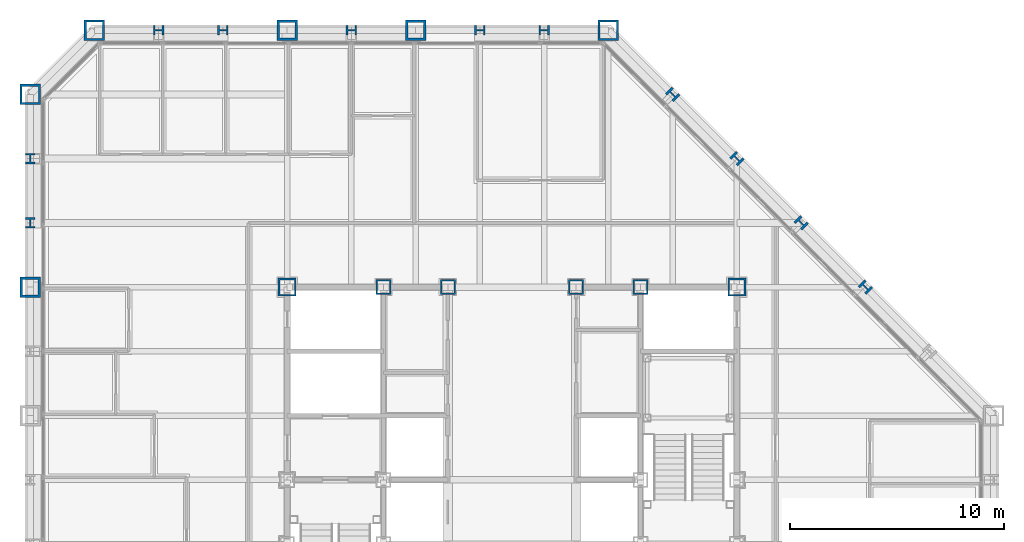
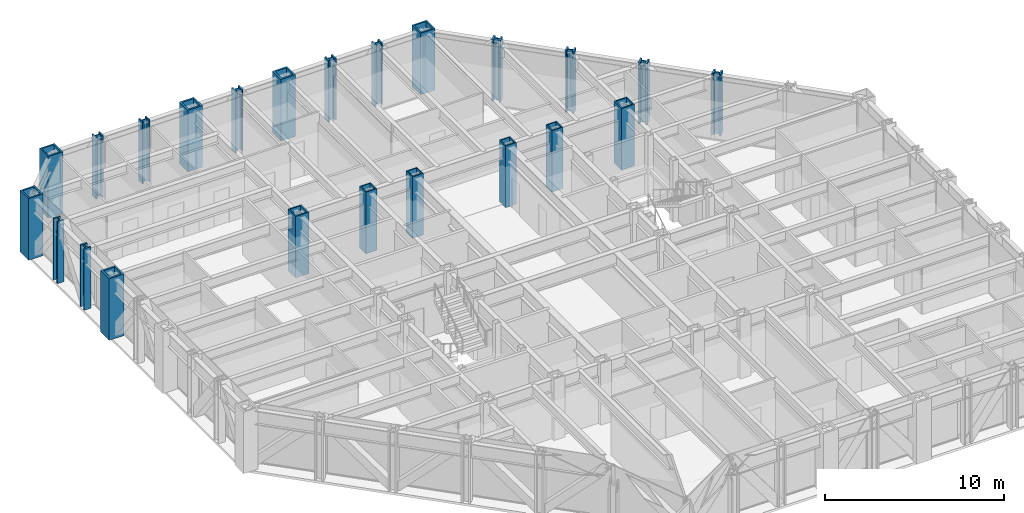
# One storey, part 3 of 16: 23 columns.
"""IFC4 building model written with IfcOpenShell, lengths in metres."""

from ifc_helpers import new_model, si_unit, direction, frame, origin, origin_2d, place, context, subcontext, project, spatial, hollow_rectangle, i_section, extrude, material, material_profile, profile_set, type_object, element, save


model = new_model("IFC4")

# Units and contexts
model_context = context("Model", 3, precision=1e-05, world=origin(), true_north=direction((0.0, 1.0)))
body_context = subcontext(model_context, "Body", "Model", "MODEL_VIEW")
ifc_project = project(units=[si_unit("LENGTHUNIT", "METRE"), si_unit("AREAUNIT", "SQUARE_METRE"), si_unit("VOLUMEUNIT", "CUBIC_METRE"), si_unit("PLANEANGLEUNIT", "RADIAN"), si_unit("MASSUNIT", "GRAM", prefix="KILO")], contexts=[model_context])

# Site, building, storey
site_placement = place(None, origin())
site = spatial("IfcSite", under=ifc_project, at=site_placement, CompositionType="ELEMENT")
building_placement = place(site_placement, origin())
building = spatial("IfcBuilding", under=site, at=building_placement, Name="Chuquiago Exchange Tower", CompositionType="ELEMENT")
storey_placement = place(building_placement, frame((0.0, 0.0, 123.60009765625)))
storey = spatial("IfcBuildingStorey", under=building, at=storey_placement, Name="L26", CompositionType="ELEMENT", Elevation=123.60009765625)

# Columns
ifc_material_1 = material(Name="Steel ASTM A992", Category="steel")
ifc_material_profile_1 = material_profile(ifc_material_1, i_section(OverallWidth=0.431884765625, OverallDepth=0.497802734375, WebThickness=0.0556640625, FlangeThickness=0.0888671875, at=origin_2d()), Name="W14X500")
ifc_profile_set_1 = profile_set([ifc_material_profile_1], Name="Steel ASTM A992")
column_type_1 = type_object("IfcColumnType", Name="C3 W14X500", PredefinedType="COLUMN", material=ifc_profile_set_1)
for number, where, z_axis, x_axis, name in (
    (1, (24.0, 45.0, 0.0), (0.0, 0.0, 1.0), (0.0, 1.0, 0.0), "COL-L26-24_45"),
    (2, (21.0, 45.0, 0.0), (0.0, 0.0, 1.0), (0.0, 1.0, 0.0), "COL-L26-21_45"),
    (3, (15.0, 45.0, 0.0), (0.0, 0.0, 1.0), (0.0, 1.0, 0.0), "COL-L26-15_45"),
    (4, (9.0, 45.0, 0.0), (0.0, 0.0, 1.0), (0.0, 1.0, 0.0), "COL-L26-9_45"),
    (5, (6.0, 45.0, 0.0), (0.0, 0.0, 1.0), (0.0, 1.0, 0.0), "COL-L26-6_45"),
    (6, (0.0, 39.0, 0.0), (0.0, 0.0, 1.0), (-1.0, 0.0, 0.0), "COL-L26-0_39"),
    (7, (0.0, 36.0, 0.0), (0.0, 0.0, 1.0), (-1.0, 0.0, 0.0), "COL-L26-0_36"),
):
    element("IfcColumn", number, at=place(storey_placement, frame(where, z_axis=z_axis, x_axis=x_axis)), inside=storey, type_object=column_type_1, Name=name, PredefinedType="COLUMN", context=body_context, shape_type="SweptSolid", body=[
        extrude(i_section(OverallWidth=0.431884765625, OverallDepth=0.497802734375, WebThickness=0.0556640625, FlangeThickness=0.0888671875, at=origin_2d()), origin(), (0.0, 0.0, 1.0), 4.199951171875),
    ])
ifc_material_2 = material(Name="Steel ASTM A572 Grade 50", Category="steel")
ifc_material_profile_2 = material_profile(ifc_material_2, hollow_rectangle(XDim=0.699951171875, YDim=0.699951171875, WallThickness=0.070068359375, at=origin_2d()), Name="BOX700X700X70")
ifc_profile_set_2 = profile_set([ifc_material_profile_2], Name="Steel ASTM A572 Grade 50")
column_type_2 = type_object("IfcColumnType", Name="CC3 BOX700X700X70", PredefinedType="COLUMN", material=ifc_profile_set_2)
for number, where, z_axis, x_axis, name in (
    (8, (16.5, 33.0, 0.0), (0.0, 0.0, 1.0), (1.0, 0.0, 0.0), "CCOL-L26-16.5_33"),
    (9, (19.5, 33.0, 0.0), (0.0, 0.0, 1.0), (1.0, 0.0, 0.0), "CCOL-L26-19.5_33"),
    (10, (25.5, 33.0, 0.0), (0.0, 0.0, 1.0), (1.0, 0.0, 0.0), "CCOL-L26-25.5_33"),
    (11, (28.5, 33.0, 0.0), (0.0, 0.0, 1.0), (1.0, 0.0, 0.0), "CCOL-L26-28.5_33"),
):
    element("IfcColumn", number, at=place(storey_placement, frame(where, z_axis=z_axis, x_axis=x_axis)), inside=storey, type_object=column_type_2, Name=name, PredefinedType="COLUMN", context=body_context, shape_type="SweptSolid", body=[
        extrude(hollow_rectangle(XDim=0.699951171875, YDim=0.699951171875, WallThickness=0.070068359375, at=origin_2d()), origin(), (0.0, 0.0, 1.0), 4.199951171875),
    ])
ifc_material_3 = material(Name="Steel ASTM A572 Grade 50", Category="steel")
ifc_material_profile_3 = material_profile(ifc_material_3, hollow_rectangle(XDim=0.85009765625, YDim=0.85009765625, WallThickness=0.0849609375, at=origin_2d()), Name="BOX850X850X85")
ifc_profile_set_3 = profile_set([ifc_material_profile_3], Name="Steel ASTM A572 Grade 50")
column_type_3 = type_object("IfcColumnType", Name="CC6 BOX850X850X85", PredefinedType="COLUMN", material=ifc_profile_set_3)
for number, where, z_axis, x_axis, name in (
    (12, (12.0, 33.0, 0.0), (0.0, 0.0, 1.0), (1.0, 0.0, 0.0), "CCOL-L26-12_33"),
    (13, (33.0, 33.0, 0.0), (0.0, 0.0, 1.0), (1.0, 0.0, 0.0), "CCOL-L26-33_33"),
):
    element("IfcColumn", number, at=place(storey_placement, frame(where, z_axis=z_axis, x_axis=x_axis)), inside=storey, type_object=column_type_3, Name=name, PredefinedType="COLUMN", context=body_context, shape_type="SweptSolid", body=[
        extrude(hollow_rectangle(XDim=0.85009765625, YDim=0.85009765625, WallThickness=0.0849609375, at=origin_2d()), origin(), (0.0, 0.0, 1.0), 4.199951171875),
    ])
ifc_material_4 = material(Name="Steel ASTM A992", Category="steel")
ifc_material_profile_4 = material_profile(ifc_material_4, i_section(OverallWidth=0.44189453125, OverallDepth=0.53076171875, WebThickness=0.06591796875, FlangeThickness=0.105712890625, at=origin_2d()), Name="W14X605")
ifc_profile_set_4 = profile_set([ifc_material_profile_4], Name="Steel ASTM A992")
column_type_4 = type_object("IfcColumnType", Name="CK3 W14X605", PredefinedType="COLUMN", material=ifc_profile_set_4)
for number, where, z_axis, x_axis, name in (
    (14, (39.0, 33.0, 0.0), (0.0, 0.0, 1.0), (0.707106781187, 0.707106781187, 0.0), "COL-L26-39_33"),
    (15, (36.0, 36.0, 0.0), (0.0, 0.0, 1.0), (0.707106781187, 0.707106781187, 0.0), "COL-L26-36_36"),
    (16, (33.0, 39.0, 0.0), (0.0, 0.0, 1.0), (0.707106781187, 0.707106781187, 0.0), "COL-L26-33_39"),
    (17, (30.0, 42.0, 0.0), (0.0, 0.0, 1.0), (0.707106781187, 0.707106781187, 0.0), "COL-L26-30_42"),
):
    element("IfcColumn", number, at=place(storey_placement, frame(where, z_axis=z_axis, x_axis=x_axis)), inside=storey, type_object=column_type_4, Name=name, PredefinedType="COLUMN", context=body_context, shape_type="SweptSolid", body=[
        extrude(i_section(OverallWidth=0.44189453125, OverallDepth=0.53076171875, WebThickness=0.06591796875, FlangeThickness=0.105712890625, at=origin_2d()), origin(), (0.0, 0.0, 1.0), 4.199951171875),
    ])
ifc_material_5 = material(Name="Steel ASTM A572 Grade 50", Category="steel")
ifc_material_profile_5 = material_profile(ifc_material_5, hollow_rectangle(XDim=0.949951171875, YDim=0.949951171875, WallThickness=0.094970703125, at=origin_2d()), Name="BOX950X950X95")
ifc_profile_set_5 = profile_set([ifc_material_profile_5], Name="Steel ASTM A572 Grade 50")
column_type_5 = type_object("IfcColumnType", Name="CN1 BOX950X950X95", PredefinedType="COLUMN", material=ifc_profile_set_5)
for number, where, z_axis, x_axis, name in (
    (18, (27.0, 45.0, 0.0), (0.0, 0.0, 1.0), (0.0, 1.0, 0.0), "COL-L26-27_45"),
    (19, (3.0, 45.0, 0.0), (0.0, 0.0, 1.0), (0.0, 1.0, 0.0), "COL-L26-3_45"),
    (20, (0.0, 42.0, 0.0), (0.0, 0.0, 1.0), (-1.0, 0.0, 0.0), "COL-L26-0_42"),
):
    element("IfcColumn", number, at=place(storey_placement, frame(where, z_axis=z_axis, x_axis=x_axis)), inside=storey, type_object=column_type_5, Name=name, PredefinedType="COLUMN", context=body_context, shape_type="SweptSolid", body=[
        extrude(hollow_rectangle(XDim=0.949951171875, YDim=0.949951171875, WallThickness=0.094970703125, at=origin_2d()), origin(), (0.0, 0.0, 1.0), 4.199951171875),
    ])
ifc_material_6 = material(Name="Steel ASTM A572 Grade 42", Category="steel")
ifc_material_profile_6 = material_profile(ifc_material_6, hollow_rectangle(XDim=0.949951171875, YDim=0.949951171875, WallThickness=0.110107421875, at=origin_2d()), Name="BOX950X950X110")
ifc_profile_set_6 = profile_set([ifc_material_profile_6], Name="Steel ASTM A572 Grade 42")
column_type_6 = type_object("IfcColumnType", Name="CT1 BOX950X950X110", PredefinedType="COLUMN", material=ifc_profile_set_6)
for number, where, z_axis, x_axis, name in (
    (21, (18.0, 45.0, 0.0), (0.0, 0.0, 1.0), (0.0, 1.0, 0.0), "COL-L26-18_45"),
    (22, (12.0, 45.0, 0.0), (0.0, 0.0, 1.0), (0.0, 1.0, 0.0), "COL-L26-12_45"),
    (23, (0.0, 33.0, 0.0), (0.0, 0.0, 1.0), (-1.0, 0.0, 0.0), "COL-L26-0_33"),
):
    element("IfcColumn", number, at=place(storey_placement, frame(where, z_axis=z_axis, x_axis=x_axis)), inside=storey, type_object=column_type_6, Name=name, PredefinedType="COLUMN", context=body_context, shape_type="SweptSolid", body=[
        extrude(hollow_rectangle(XDim=0.949951171875, YDim=0.949951171875, WallThickness=0.110107421875, at=origin_2d()), origin(), (0.0, 0.0, 1.0), 4.199951171875),
    ])

save(model, "model.ifc")
